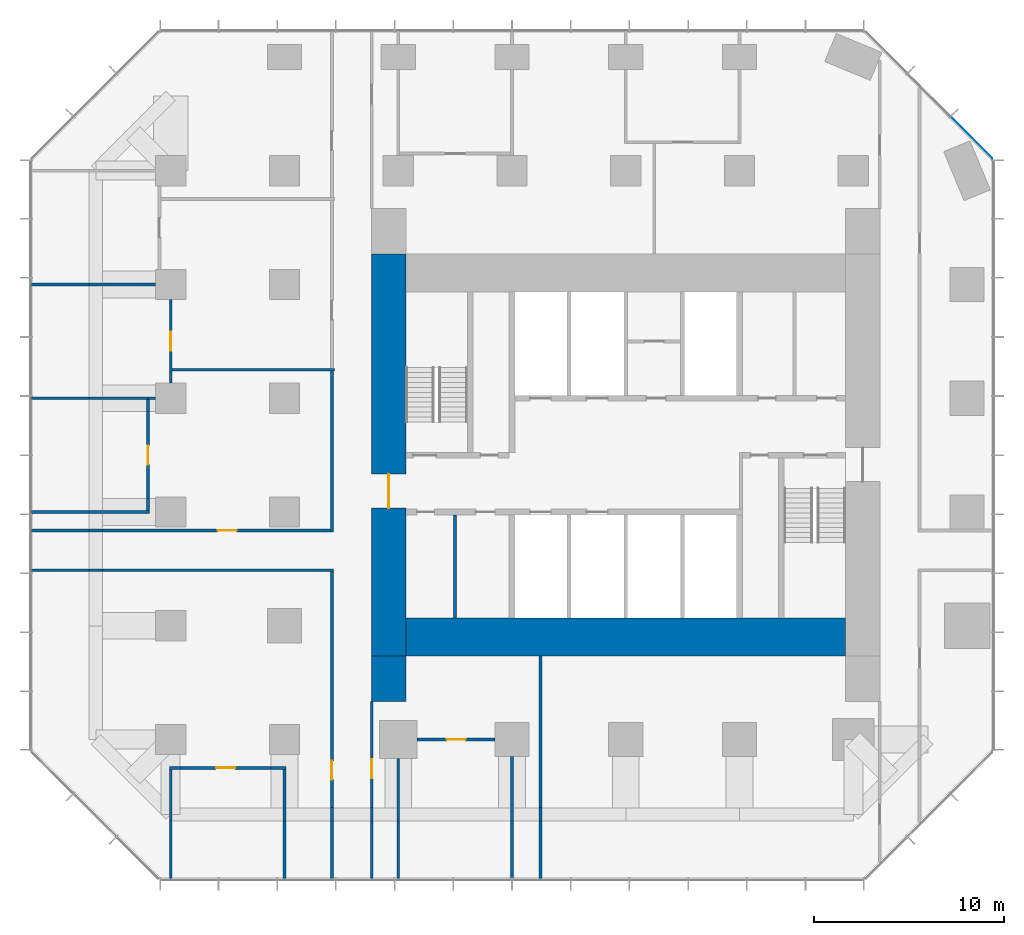
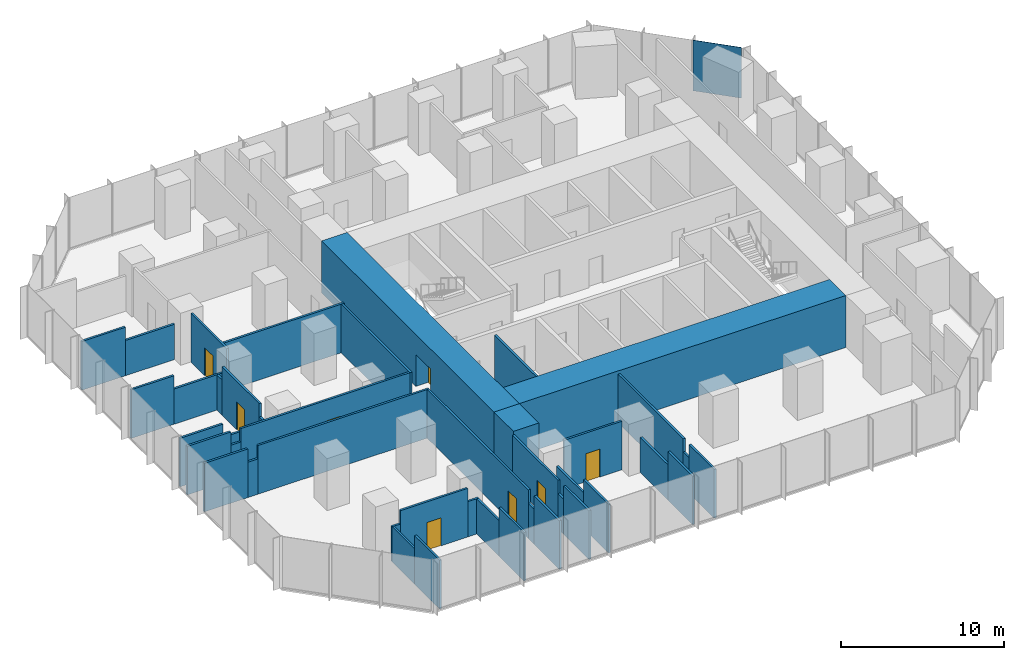
# One storey, part 8 of 11: 44 walls, 8 doors, 1 plate, 8 openings, 1 element without a shape of its own.
"""IFC4 building model written with IfcOpenShell, lengths in metres."""

import ifcopenshell
import ifcopenshell.guid

model = None  # the IFC model being written
_history = None  # IfcOwnerHistory: only IFC2X3 demands one
_inside = {}  # id of a spatial element -> (the spatial element, [elements in it])
_under = {}  # id of a project, library or spatial element -> (it, [spatial elements below it])
_declared = {}  # id of a project -> (the project, [libraries it declares])
_typed = {}  # id of a type object -> (the type object, [elements of that type])
_made_of = {}  # id of a material, layer set ... -> (it, [elements and type objects made of it])


def new_model(schema):
    """Start an empty IFC model of exactly this schema.

    Asked for "IFC4X3", IfcOpenShell would pick the latest addendum, in which some entities
    have other attributes; the version numbers below select the first issue.
    IFC2X3 requires an IfcOwnerHistory on every rooted entity: one is made here for all.
    """
    global model, _history
    if schema == "IFC4X3":
        model = ifcopenshell.file(schema_version=(4, 3, 0, 0))
    else:
        model = ifcopenshell.file(schema=schema)
    _inside.clear()
    _under.clear()
    _declared.clear()
    _typed.clear()
    _made_of.clear()
    _history = None
    if model.schema == "IFC2X3":
        org = make("IfcOrganization", Name="unknown")
        user = make(
            "IfcPersonAndOrganization",
            ThePerson=make("IfcPerson", FamilyName="unknown"),
            TheOrganization=org,
        )
        app = make(
            "IfcApplication",
            ApplicationDeveloper=org,
            Version="unknown",
            ApplicationFullName="unknown",
            ApplicationIdentifier="unknown",
        )
        _history = make(
            "IfcOwnerHistory",
            OwningUser=user,
            OwningApplication=app,
            ChangeAction="ADDED",
            CreationDate=0,
        )
    return model


def make(cls, **values):
    """One entity of the class cls with the attributes given. An attribute that is None is left unset."""
    return model.create_entity(
        cls, **{name: value for name, value in values.items() if value is not None}
    )


def rooted(cls, **values):
    """An entity with a GlobalId (a new one), such as an element, a storey or a relation."""
    return make(cls, GlobalId=ifcopenshell.guid.new(), OwnerHistory=_history, **values)


def si_unit(unit_type, name, prefix=None):
    """IfcSIUnit, for example si_unit("LENGTHUNIT", "METRE", prefix="MILLI")."""
    return make("IfcSIUnit", UnitType=unit_type, Prefix=prefix, Name=name)


def assignment(units):
    """IfcUnitAssignment: the units of a project."""
    return None if units is None else make("IfcUnitAssignment", Units=units)


def point(xyz):
    """IfcCartesianPoint."""
    return None if xyz is None else make("IfcCartesianPoint", Coordinates=xyz)


def direction(xyz):
    """IfcDirection."""
    return None if xyz is None else make("IfcDirection", DirectionRatios=xyz)


def frame(location, z_axis=None, x_axis=None):
    """IfcAxis2Placement3D, a coordinate frame: its origin and axes. An axis left out is left unset."""
    return make(
        "IfcAxis2Placement3D",
        Location=point(location),
        Axis=direction(z_axis),
        RefDirection=direction(x_axis),
    )


def frame_2d(location, x_axis=None):
    """IfcAxis2Placement2D, a coordinate frame in the plane: its origin and x axis."""
    return make(
        "IfcAxis2Placement2D", Location=point(location), RefDirection=direction(x_axis)
    )


def origin():
    """The frame at (0, 0, 0) with its axes left unset."""
    return frame((0.0, 0.0, 0.0))


def origin_2d():
    """The frame at (0, 0) in the plane with its x axis left unset."""
    return frame_2d((0.0, 0.0))


def place(relative_to, where):
    """IfcLocalPlacement: puts the frame where relative to a parent placement (None: the world)."""
    return make(
        "IfcLocalPlacement", PlacementRelTo=relative_to, RelativePlacement=where
    )


def context(
    kind, dimensions, precision=None, world=None, true_north=None, identifier=None
):
    """IfcGeometricRepresentationContext, for example the 3D "Model" context."""
    return make(
        "IfcGeometricRepresentationContext",
        ContextIdentifier=identifier,
        ContextType=kind,
        CoordinateSpaceDimension=dimensions,
        Precision=precision,
        WorldCoordinateSystem=world,
        TrueNorth=true_north,
    )


def subcontext(parent, identifier, kind, view, scale=None):
    """IfcGeometricRepresentationSubContext, for example "Body" below "Model"."""
    return make(
        "IfcGeometricRepresentationSubContext",
        ContextIdentifier=identifier,
        ContextType=kind,
        ParentContext=parent,
        TargetScale=scale,
        TargetView=view,
    )


def project(units=None, contexts=None):
    """IfcProject with its units and contexts."""
    return rooted(
        "IfcProject",
        Name="project",
        RepresentationContexts=contexts,
        UnitsInContext=assignment(units),
    )


def spatial(cls, under=None, at=None, **own):
    """A site, building, storey or space (cls), placed at a placement, below another one or the project."""
    s = rooted(cls, ObjectPlacement=at, **own)
    if under is not None:
        _under.setdefault(under.id(), (under, []))[1].append(s)
    return s


def profile(cls, at=None, kind="AREA", **sizes):
    """A parametric profile (cls). Its sizes go by their IFC names, for example OverallWidth=200.0."""
    return make(cls, ProfileType=kind, Position=at, **sizes)


def rectangle(**sizes):
    """IfcRectangleProfileDef."""
    return profile("IfcRectangleProfileDef", **sizes)


def extrude(swept, where, along, depth):
    """IfcExtrudedAreaSolid: the profile swept, set in the frame where, extruded along a direction by depth."""
    return make(
        "IfcExtrudedAreaSolid",
        SweptArea=swept,
        Position=where,
        ExtrudedDirection=direction(along),
        Depth=depth,
    )


def shape(context_of_items, identifier, shape_type, items):
    """IfcShapeRepresentation: the items that make up one representation, for example the "Body"."""
    return make(
        "IfcShapeRepresentation",
        ContextOfItems=context_of_items,
        RepresentationIdentifier=identifier,
        RepresentationType=shape_type,
        Items=items,
    )


def material(Name=None, Category=None):
    """IfcMaterial."""
    return make("IfcMaterial", Name=Name, Category=Category)


def layer(
    of_material, thickness, ventilated=None, Name=None, Category=None, Priority=None
):
    """IfcMaterialLayer: one layer of a wall or slab, of a material (None: an air gap)."""
    return make(
        "IfcMaterialLayer",
        Material=of_material,
        LayerThickness=thickness,
        IsVentilated=ventilated,
        Name=Name,
        Category=Category,
        Priority=Priority,
    )


def layer_set(layers, Name=None):
    """IfcMaterialLayerSet."""
    return make("IfcMaterialLayerSet", MaterialLayers=layers, LayerSetName=Name)


def made_of(thing, what):
    """Note that an element or type object is made of a material, layer set ...; save() writes the relation."""
    if what is not None:
        _made_of.setdefault(what.id(), (what, []))[1].append(thing)
    return thing


def type_object(cls, material=None, **own):
    """A type object (cls), such as IfcWallType, which elements share."""
    return made_of(rooted(cls, **own), material)


def element(
    cls,
    number,
    at=None,
    inside=None,
    cuts=None,
    type_object=None,
    material=None,
    context=None,
    identifier="Body",
    shape_type=None,
    held_by="IfcProductDefinitionShape",
    body=None,
    shapes=None,
    **own,
):
    """One element of the class cls, such as IfcWall. Its Tag is "e" and its number.

    at: its placement. inside: the storey or other place that contains it. cuts: it is an
    opening in that element (IfcRelVoidsElement). A single representation is given by context,
    identifier, shape_type and body (its items); several are given by shapes. held_by: the class
    of the entity that holds the representations. save() writes the other relations.
    """
    e = rooted(cls, Tag="e%d" % number, ObjectPlacement=at, **own)
    if body is not None:
        shapes = [shape(context, identifier, shape_type, body)]
    if shapes is not None:
        e.Representation = make(held_by, Representations=shapes)
    if inside is not None:
        _inside.setdefault(inside.id(), (inside, []))[1].append(e)
    if cuts is not None:
        rooted(
            "IfcRelVoidsElement", RelatingBuildingElement=cuts, RelatedOpeningElement=e
        )
    if type_object is not None:
        _typed.setdefault(type_object.id(), (type_object, []))[1].append(e)
    return made_of(e, material)


def fill(opening, filler):
    """IfcRelFillsElement: the door or window that sits in an opening."""
    return rooted(
        "IfcRelFillsElement",
        RelatingOpeningElement=opening,
        RelatedBuildingElement=filler,
    )


def aggregate(whole, parts):
    """IfcRelAggregates: a whole, such as a stair, and the parts it consists of."""
    return rooted("IfcRelAggregates", RelatingObject=whole, RelatedObjects=parts)


def save(model, path):
    """Write the relations noted so far, then the file.

    IfcRelAggregates (storeys below a building ...), IfcRelContainedInSpatialStructure (elements
    in a storey), IfcRelDefinesByType, IfcRelAssociatesMaterial and IfcRelDeclares: one each for
    every whole, place, type object, material and project.
    """
    for whole, parts in _under.values():
        aggregate(whole, parts)
    for where, things in _inside.values():
        rooted(
            "IfcRelContainedInSpatialStructure",
            RelatedElements=things,
            RelatingStructure=where,
        )
    for kind, things in _typed.values():
        rooted("IfcRelDefinesByType", RelatedObjects=things, RelatingType=kind)
    for what, things in _made_of.values():
        rooted("IfcRelAssociatesMaterial", RelatedObjects=things, RelatingMaterial=what)
    for by, libraries in _declared.values():
        rooted("IfcRelDeclares", RelatingContext=by, RelatedDefinitions=libraries)
    model.write(path)


model = new_model("IFC4")

# Units and contexts
model_context = context("Model", 3, precision=1e-05, world=origin(), true_north=direction((0.0, 1.0)))
body_context = subcontext(model_context, "Body", "Model", "MODEL_VIEW")
ifc_project = project(units=[si_unit("LENGTHUNIT", "METRE"), si_unit("AREAUNIT", "SQUARE_METRE"), si_unit("VOLUMEUNIT", "CUBIC_METRE"), si_unit("PLANEANGLEUNIT", "RADIAN"), si_unit("MASSUNIT", "GRAM", prefix="KILO")], contexts=[model_context])

# Site, building, storey
site_placement = place(None, origin())
site = spatial("IfcSite", under=ifc_project, at=site_placement, CompositionType="ELEMENT")
building_placement = place(site_placement, origin())
building = spatial("IfcBuilding", under=site, at=building_placement, Name="Highveld Stack Headquarters", CompositionType="ELEMENT")
storey_placement = place(building_placement, frame((0.0, 0.0, 132.800048828125)))
storey = spatial("IfcBuildingStorey", under=building, at=storey_placement, Name="L32", CompositionType="ELEMENT", Elevation=132.800048828125)

# Curtain wall, plate
ifc_material_1 = material(Name="Aluminium bronze anodised", Category="aluminium")
ifc_layer_1 = layer(ifc_material_1, 0.199951171875)
ifc_layer_set_1 = layer_set([ifc_layer_1], Name="Aluminium bronze anodised")
curtain_wall_type = type_object("IfcCurtainWallType", Name="CW2 TOWER CHAMFER UNITISED CURTAIN WALL", PredefinedType="NOTDEFINED", material=ifc_layer_set_1)
curtain_wall_placement = place(storey_placement, origin())
curtain_wall = element("IfcCurtainWall", 1, at=curtain_wall_placement, inside=storey, type_object=curtain_wall_type, Name="Curtain wall CW2 L32 NE", PredefinedType="NOTDEFINED")
ifc_material_2 = material(Name="Glass bronze tinted double glazed unit", Category="glass")
ifc_layer_2 = layer(ifc_material_2, 0.028076171875)
ifc_layer_set_2 = layer_set([ifc_layer_2], Name="Glass bronze tinted double glazed unit")
plate_type = type_object("IfcPlateType", Name="CW2 PANEL BRONZE TINTED DOUBLE GLAZED UNIT", PredefinedType="CURTAIN_PANEL", material=ifc_layer_set_2)
plate_placement = place(storey_placement, frame((24.239501953125, 19.740478515625, 0.10009765625), z_axis=(0.0, 0.0, 1.0), x_axis=(-0.707106781187, 0.707106781187, 0.0)))
plate = element("IfcPlate", 2, at=plate_placement, type_object=plate_type, Name="CW2 panel L32 1.1", PredefinedType="CURTAIN_PANEL", context=body_context, shape_type="SweptSolid", body=[
    extrude(rectangle(XDim=3.08251953125, YDim=0.028076171875, at=origin_2d()), origin(), (0.0, 0.0, 1.0), 3.800048828125),
])
aggregate(curtain_wall, [plate])

# Wall, opening, door
ifc_material_3 = material(Name="Concrete C60/75", Category="concrete")
ifc_layer_3 = layer(ifc_material_3, 1.800048828125)
ifc_layer_set_3 = layer_set([ifc_layer_3], Name="Concrete C60/75")
wall_type_1 = type_object("IfcWallType", Name="CORE WALL 1800 C60/75", PredefinedType="SHEAR", material=ifc_layer_set_3)
wall_1_placement = place(storey_placement, frame((-6.5, -7.60009765625, 0.0), z_axis=(0.0, 0.0, 1.0), x_axis=(0.0, 1.0, 0.0)))
wall_1 = element("IfcWall", 3, at=wall_1_placement, inside=storey, type_object=wall_type_1, Name="Core wall W L32", PredefinedType="SHEAR", context=body_context, shape_type="SweptSolid", body=[
    extrude(rectangle(XDim=21.2001953125, YDim=1.800048828125, at=frame_2d((10.60009765625, 0.0))), origin(), (0.0, 0.0, 1.0), 3.89990234375),
])
opening_1_placement = place(wall_1_placement, frame((7.800048828125, 0.0, 0.0)))
opening_1 = element("IfcOpeningElement", 4, at=opening_1_placement, cuts=wall_1, Name="Opening L32-01", PredefinedType="OPENING", context=body_context, shape_type="SweptSolid", body=[
    extrude(rectangle(XDim=1.800048828125, YDim=2.39990234375, at=frame_2d((0.89990234375, 1.199951171875))), frame((0.0, 0.909912109375, 0.0), z_axis=(0.0, -1.0, 0.0), x_axis=(1.0, 0.0, 0.0)), (0.0, 0.0, 1.0), 1.820068359375),
])
ifc_material_4 = material(Name="Steel fire door", Category="steel")
door_type_1 = type_object("IfcDoorType", Name="LOBBY FIRE DOOR D4 1800x2400", OperationType="DOUBLE_DOOR_SINGLE_SWING", PredefinedType="DOOR", material=ifc_material_4)
door_1_placement = place(opening_1_placement, origin())
door_1 = element("IfcDoor", 5, at=door_1_placement, inside=storey, type_object=door_type_1, Name="Core west door L32", OperationType="DOUBLE_DOOR_SINGLE_SWING", OverallHeight=2.39990234375, OverallWidth=1.800048828125, PredefinedType="DOOR", context=body_context, shape_type="SweptSolid", body=[
    extrude(rectangle(XDim=1.800048828125, YDim=2.39990234375, at=frame_2d((0.89990234375, 1.199951171875))), frame((0.0, 0.02490234375, 0.0), z_axis=(0.0, -1.0, 0.0), x_axis=(1.0, 0.0, 0.0)), (0.0, 0.0, 1.0), 0.050048828125),
])
fill(opening_1, door_1)

# Walls
ifc_material_5 = material(Name="Concrete C60/75", Category="concrete")
ifc_layer_4 = layer(ifc_material_5, 2.0)
ifc_layer_set_4 = layer_set([ifc_layer_4], Name="Concrete C60/75")
wall_type_2 = type_object("IfcWallType", Name="CORE WALL 2000 C60/75", PredefinedType="SHEAR", material=ifc_layer_set_4)
wall_2_placement = place(storey_placement, frame((-5.60009765625, -6.60009765625, 0.0), z_axis=(0.0, 0.0, 1.0), x_axis=(1.0, 0.0, 0.0)))
element("IfcWall", 6, at=wall_2_placement, inside=storey, type_object=wall_type_2, Name="Core wall S L32", PredefinedType="SHEAR", context=body_context, shape_type="SweptSolid", body=[
    extrude(rectangle(XDim=23.2001953125, YDim=2.0, at=frame_2d((11.60009765625, 0.0))), origin(), (0.0, 0.0, 1.0), 3.89990234375),
])
ifc_material_6 = material(Name="Concrete C60/75", Category="concrete")
ifc_layer_5 = layer(ifc_material_6, 1.800048828125)
ifc_layer_set_5 = layer_set([ifc_layer_5], Name="Concrete C60/75")
wall_type_3 = type_object("IfcWallType", Name="CORE WING WALL 1800 C60/75", PredefinedType="SHEAR", material=ifc_layer_set_5)
wall_3_placement = place(storey_placement, frame((-6.5, -10.0, 0.0), z_axis=(0.0, 0.0, 1.0), x_axis=(0.0, 1.0, 0.0)))
element("IfcWall", 7, at=wall_3_placement, inside=storey, type_object=wall_type_3, Name="Core wing wall WS L32", PredefinedType="SHEAR", context=body_context, shape_type="SweptSolid", body=[
    extrude(rectangle(XDim=2.39990234375, YDim=1.800048828125, at=frame_2d((1.199951171875, 0.0))), origin(), (0.0, 0.0, 1.0), 3.89990234375),
])

# Wall, opening, door
ifc_material_7 = material(Name="Laminated glass in aluminium frame", Category="aluminium")
ifc_layer_6 = layer(ifc_material_7, 0.14990234375)
ifc_layer_set_6 = layer_set([ifc_layer_6], Name="Laminated glass in aluminium frame")
wall_type_4 = type_object("IfcWallType", Name="GLAZED PARTITION 150", PredefinedType="PARTITIONING", material=ifc_layer_set_6)
wall_4_placement = place(storey_placement, frame((-5.0, -12.0, 0.0), z_axis=(0.0, 0.0, 1.0), x_axis=(1.0, 0.0, 0.0)))
wall_4 = element("IfcWall", 8, at=wall_4_placement, inside=storey, type_object=wall_type_4, Name="Glazed partition Meeting room L32", PredefinedType="PARTITIONING", context=body_context, shape_type="SweptSolid", body=[
    extrude(rectangle(XDim=4.10009765625, YDim=0.14990234375, at=frame_2d((2.050048828125, 0.0))), origin(), (0.0, 0.0, 1.0), 3.64990234375),
])
opening_2_placement = place(wall_4_placement, frame((1.550048828125, 0.0, 0.0)))
opening_2 = element("IfcOpeningElement", 9, at=opening_2_placement, cuts=wall_4, Name="Opening L32-14", PredefinedType="OPENING", context=body_context, shape_type="SweptSolid", body=[
    extrude(rectangle(XDim=1.0, YDim=2.10009765625, at=frame_2d((0.5, 1.050048828125))), frame((0.0, 0.0849609375, 0.0), z_axis=(0.0, -1.0, 0.0), x_axis=(1.0, 0.0, 0.0)), (0.0, 0.0, 1.0), 0.169921875),
])
ifc_material_8 = material(Name="Timber door, oiled ash", Category="wood")
door_type_2 = type_object("IfcDoorType", Name="ROOM DOOR D6 1000x2100", OperationType="SINGLE_SWING_LEFT", PredefinedType="DOOR", material=ifc_material_8)
door_2_placement = place(opening_2_placement, origin())
door_2 = element("IfcDoor", 10, at=door_2_placement, inside=storey, type_object=door_type_2, Name="Meeting room door 1 L32", OperationType="SINGLE_SWING_RIGHT", OverallHeight=2.10009765625, OverallWidth=1.0, PredefinedType="DOOR", context=body_context, shape_type="SweptSolid", body=[
    extrude(rectangle(XDim=1.0, YDim=2.10009765625, at=frame_2d((0.5, 1.050048828125))), frame((0.0, 0.02490234375, 0.0), z_axis=(0.0, -1.0, 0.0), x_axis=(1.0, 0.0, 0.0)), (0.0, 0.0, 1.0), 0.050048828125),
])
fill(opening_2, door_2)

wall_5_placement = place(storey_placement, frame((-18.0, 6.800048828125, 0.0), z_axis=(0.0, 0.0, 1.0), x_axis=(0.0, 1.0, 0.0)))
wall_5 = element("IfcWall", 11, at=wall_5_placement, inside=storey, type_object=wall_type_4, Name="Glazed partition Meeting room L32", PredefinedType="PARTITIONING", context=body_context, shape_type="SweptSolid", body=[
    extrude(rectangle(XDim=4.39990234375, YDim=0.14990234375, at=frame_2d((2.199951171875, 0.0))), origin(), (0.0, 0.0, 1.0), 3.64990234375),
])
opening_3_placement = place(wall_5_placement, frame((1.699951171875, 0.0, 0.0)))
opening_3 = element("IfcOpeningElement", 12, at=opening_3_placement, cuts=wall_5, Name="Opening L32-16", PredefinedType="OPENING", context=body_context, shape_type="SweptSolid", body=[
    extrude(rectangle(XDim=1.0, YDim=2.10009765625, at=frame_2d((0.5, 1.050048828125))), frame((0.0, 0.0849609375, 0.0), z_axis=(0.0, -1.0, 0.0), x_axis=(1.0, 0.0, 0.0)), (0.0, 0.0, 1.0), 0.169921875),
])
door_3_placement = place(opening_3_placement, origin())
door_3 = element("IfcDoor", 13, at=door_3_placement, inside=storey, type_object=door_type_2, Name="Meeting room door 1 L32", OperationType="SINGLE_SWING_RIGHT", OverallHeight=2.10009765625, OverallWidth=1.0, PredefinedType="DOOR", context=body_context, shape_type="SweptSolid", body=[
    extrude(rectangle(XDim=1.0, YDim=2.10009765625, at=frame_2d((0.5, 1.050048828125))), frame((0.0, 0.02490234375, 0.0), z_axis=(0.0, -1.0, 0.0), x_axis=(1.0, 0.0, 0.0)), (0.0, 0.0, 1.0), 0.050048828125),
])
fill(opening_3, door_3)

# Wall
ifc_material_9 = material(Name="Gypsum plasterboard on steel studs", Category="steel")
ifc_layer_7 = layer(ifc_material_9, 0.14990234375)
ifc_layer_set_7 = layer_set([ifc_layer_7], Name="Gypsum plasterboard on steel studs")
wall_type_5 = type_object("IfcWallType", Name="PARTITION 150 PLASTERBOARD", PredefinedType="PARTITIONING", material=ifc_layer_set_7)
wall_6_placement = place(storey_placement, frame((-18.074951171875, -13.5, 0.0), z_axis=(0.0, 0.0, 1.0), x_axis=(1.0, 0.0, 0.0)))
element("IfcWall", 14, at=wall_6_placement, inside=storey, type_object=wall_type_5, Name="Partition Quiet room L32", PredefinedType="PARTITIONING", context=body_context, shape_type="SweptSolid", body=[
    extrude(rectangle(XDim=0.5849609375, YDim=0.14990234375, at=frame_2d((0.29248046875, 0.0))), origin(), (0.0, 0.0, 1.0), 2.64990234375),
])

# Wall, opening, door
wall_7_placement = place(storey_placement, frame((-17.489990234375, -13.5, 0.0), z_axis=(0.0, 0.0, 1.0), x_axis=(1.0, 0.0, 0.0)))
wall_7 = element("IfcWall", 15, at=wall_7_placement, inside=storey, type_object=wall_type_5, Name="Partition Quiet room L32", PredefinedType="PARTITIONING", context=body_context, shape_type="SweptSolid", body=[
    extrude(rectangle(XDim=4.780029296875, YDim=0.14990234375, at=frame_2d((2.39013671875, 0.0))), origin(), (0.0, 0.0, 1.0), 3.64990234375),
])
opening_4_placement = place(wall_7_placement, frame((1.889892578125, 0.0, 0.0)))
opening_4 = element("IfcOpeningElement", 16, at=opening_4_placement, cuts=wall_7, Name="Opening L32-13", PredefinedType="OPENING", context=body_context, shape_type="SweptSolid", body=[
    extrude(rectangle(XDim=1.0, YDim=2.10009765625, at=frame_2d((0.5, 1.050048828125))), frame((0.0, 0.0849609375, 0.0), z_axis=(0.0, -1.0, 0.0), x_axis=(1.0, 0.0, 0.0)), (0.0, 0.0, 1.0), 0.169921875),
])
door_4_placement = place(opening_4_placement, origin())
door_4 = element("IfcDoor", 17, at=door_4_placement, inside=storey, type_object=door_type_2, Name="Quiet room door 1 L32", OperationType="SINGLE_SWING_RIGHT", OverallHeight=2.10009765625, OverallWidth=1.0, PredefinedType="DOOR", context=body_context, shape_type="SweptSolid", body=[
    extrude(rectangle(XDim=1.0, YDim=2.10009765625, at=frame_2d((0.5, 1.050048828125))), frame((0.0, 0.02490234375, 0.0), z_axis=(0.0, -1.0, 0.0), x_axis=(1.0, 0.0, 0.0)), (0.0, 0.0, 1.0), 0.050048828125),
])
fill(opening_4, door_4)

# Walls
wall_8_placement = place(storey_placement, frame((-12.7099609375, -13.5, 0.0), z_axis=(0.0, 0.0, 1.0), x_axis=(1.0, 0.0, 0.0)))
element("IfcWall", 18, at=wall_8_placement, inside=storey, type_object=wall_type_5, Name="Partition Quiet room L32", PredefinedType="PARTITIONING", context=body_context, shape_type="SweptSolid", body=[
    extrude(rectangle(XDim=0.784912109375, YDim=0.14990234375, at=frame_2d((0.392578125, 0.0))), origin(), (0.0, 0.0, 1.0), 2.64990234375),
])
wall_9_placement = place(storey_placement, frame((-25.35009765625, 0.0, 0.0), z_axis=(0.0, 0.0, 1.0), x_axis=(1.0, 0.0, 0.0)))
element("IfcWall", 19, at=wall_9_placement, inside=storey, type_object=wall_type_5, Name="Partition Tea kitchen L32", PredefinedType="PARTITIONING", context=body_context, shape_type="SweptSolid", body=[
    extrude(rectangle(XDim=3.0400390625, YDim=0.14990234375, at=frame_2d((1.52001953125, 0.0))), origin(), (0.0, 0.0, 1.0), 3.64990234375),
])
wall_10_placement = place(storey_placement, frame((-22.31005859375, 0.0, 0.0), z_axis=(0.0, 0.0, 1.0), x_axis=(1.0, 0.0, 0.0)))
element("IfcWall", 20, at=wall_10_placement, inside=storey, type_object=wall_type_5, Name="Partition Tea kitchen L32", PredefinedType="PARTITIONING", context=body_context, shape_type="SweptSolid", body=[
    extrude(rectangle(XDim=3.18505859375, YDim=0.14990234375, at=frame_2d((1.592529296875, 0.0))), origin(), (0.0, 0.0, 1.0), 2.64990234375),
])
wall_11_placement = place(storey_placement, frame((-25.35009765625, 6.0, 0.0), z_axis=(0.0, 0.0, 1.0), x_axis=(1.0, 0.0, 0.0)))
element("IfcWall", 21, at=wall_11_placement, inside=storey, type_object=wall_type_5, Name="Partition Meeting room / Tea kitchen L32", PredefinedType="PARTITIONING", context=body_context, shape_type="SweptSolid", body=[
    extrude(rectangle(XDim=3.0400390625, YDim=0.14990234375, at=frame_2d((1.52001953125, 0.0))), origin(), (0.0, 0.0, 1.0), 3.64990234375),
])
wall_12_placement = place(storey_placement, frame((-22.31005859375, 6.0, 0.0), z_axis=(0.0, 0.0, 1.0), x_axis=(1.0, 0.0, 0.0)))
element("IfcWall", 22, at=wall_12_placement, inside=storey, type_object=wall_type_5, Name="Partition Meeting room / Tea kitchen L32", PredefinedType="PARTITIONING", context=body_context, shape_type="SweptSolid", body=[
    extrude(rectangle(XDim=3.18505859375, YDim=0.14990234375, at=frame_2d((1.592529296875, 0.0))), origin(), (0.0, 0.0, 1.0), 2.64990234375),
])
wall_13_placement = place(storey_placement, frame((-19.199951171875, 6.0, 0.0), z_axis=(0.0, 0.0, 1.0), x_axis=(1.0, 0.0, 0.0)))
element("IfcWall", 23, at=wall_13_placement, inside=storey, type_object=wall_type_5, Name="Partition Meeting room L32", PredefinedType="PARTITIONING", context=body_context, shape_type="SweptSolid", body=[
    extrude(rectangle(XDim=0.39990234375, YDim=0.14990234375, at=frame_2d((0.199951171875, 0.0))), origin(), (0.0, 0.0, 1.0), 2.64990234375),
])
wall_14_placement = place(storey_placement, frame((-25.39990234375, 12.0, 0.0), z_axis=(0.0, 0.0, 1.0), x_axis=(1.0, 0.0, 0.0)))
element("IfcWall", 24, at=wall_14_placement, inside=storey, type_object=wall_type_5, Name="Partition Meeting room / Video conference room L32", PredefinedType="PARTITIONING", context=body_context, shape_type="SweptSolid", body=[
    extrude(rectangle(XDim=3.08984375, YDim=0.14990234375, at=frame_2d((1.544921875, 0.0))), origin(), (0.0, 0.0, 1.0), 3.64990234375),
])
wall_15_placement = place(storey_placement, frame((-22.31005859375, 12.0, 0.0), z_axis=(0.0, 0.0, 1.0), x_axis=(1.0, 0.0, 0.0)))
element("IfcWall", 25, at=wall_15_placement, inside=storey, type_object=wall_type_5, Name="Partition Meeting room / Video conference room L32", PredefinedType="PARTITIONING", context=body_context, shape_type="SweptSolid", body=[
    extrude(rectangle(XDim=3.510009765625, YDim=0.14990234375, at=frame_2d((1.7548828125, 0.0))), origin(), (0.0, 0.0, 1.0), 2.64990234375),
])
wall_16_placement = place(storey_placement, frame((-19.199951171875, 0.074951171875, 0.0), z_axis=(0.0, 0.0, 1.0), x_axis=(0.0, 1.0, 0.0)))
element("IfcWall", 26, at=wall_16_placement, inside=storey, type_object=wall_type_5, Name="Partition Tea kitchen L32", PredefinedType="PARTITIONING", context=body_context, shape_type="SweptSolid", body=[
    extrude(rectangle(XDim=0.635009765625, YDim=0.14990234375, at=frame_2d((0.3173828125, 0.0))), origin(), (0.0, 0.0, 1.0), 2.64990234375),
])

# Wall, opening, door
wall_17_placement = place(storey_placement, frame((-19.199951171875, 0.7099609375, 0.0), z_axis=(0.0, 0.0, 1.0), x_axis=(0.0, 1.0, 0.0)))
wall_17 = element("IfcWall", 27, at=wall_17_placement, inside=storey, type_object=wall_type_5, Name="Partition Tea kitchen L32", PredefinedType="PARTITIONING", context=body_context, shape_type="SweptSolid", body=[
    extrude(rectangle(XDim=4.580078125, YDim=0.14990234375, at=frame_2d((2.2900390625, 0.0))), origin(), (0.0, 0.0, 1.0), 3.64990234375),
])
opening_5_placement = place(wall_17_placement, frame((1.7900390625, 0.0, 0.0)))
opening_5 = element("IfcOpeningElement", 28, at=opening_5_placement, cuts=wall_17, Name="Opening L32-15", PredefinedType="OPENING", context=body_context, shape_type="SweptSolid", body=[
    extrude(rectangle(XDim=1.0, YDim=2.10009765625, at=frame_2d((0.5, 1.050048828125))), frame((0.0, 0.0849609375, 0.0), z_axis=(0.0, -1.0, 0.0), x_axis=(1.0, 0.0, 0.0)), (0.0, 0.0, 1.0), 0.169921875),
])
door_5_placement = place(opening_5_placement, origin())
door_5 = element("IfcDoor", 29, at=door_5_placement, inside=storey, type_object=door_type_2, Name="Tea kitchen door 1 L32", OperationType="SINGLE_SWING_LEFT", OverallHeight=2.10009765625, OverallWidth=1.0, PredefinedType="DOOR", context=body_context, shape_type="SweptSolid", body=[
    extrude(rectangle(XDim=1.0, YDim=2.10009765625, at=frame_2d((0.5, 1.050048828125))), frame((0.0, 0.02490234375, 0.0), z_axis=(0.0, -1.0, 0.0), x_axis=(1.0, 0.0, 0.0)), (0.0, 0.0, 1.0), 0.050048828125),
])
fill(opening_5, door_5)

# Walls
wall_18_placement = place(storey_placement, frame((-19.199951171875, 5.2900390625, 0.0), z_axis=(0.0, 0.0, 1.0), x_axis=(0.0, 1.0, 0.0)))
element("IfcWall", 30, at=wall_18_placement, inside=storey, type_object=wall_type_5, Name="Partition Tea kitchen L32", PredefinedType="PARTITIONING", context=body_context, shape_type="SweptSolid", body=[
    extrude(rectangle(XDim=0.635009765625, YDim=0.14990234375, at=frame_2d((0.3173828125, 0.0))), origin(), (0.0, 0.0, 1.0), 2.64990234375),
])
wall_19_placement = place(storey_placement, frame((-18.0, -19.39990234375, 0.0), z_axis=(0.0, 0.0, 1.0), x_axis=(0.0, 1.0, 0.0)))
element("IfcWall", 31, at=wall_19_placement, inside=storey, type_object=wall_type_5, Name="Partition Quiet room L32", PredefinedType="PARTITIONING", context=body_context, shape_type="SweptSolid", body=[
    extrude(rectangle(XDim=3.08984375, YDim=0.14990234375, at=frame_2d((1.544921875, 0.0))), origin(), (0.0, 0.0, 1.0), 3.64990234375),
])
wall_20_placement = place(storey_placement, frame((-18.0, -16.31005859375, 0.0), z_axis=(0.0, 0.0, 1.0), x_axis=(0.0, 1.0, 0.0)))
element("IfcWall", 32, at=wall_20_placement, inside=storey, type_object=wall_type_5, Name="Partition Quiet room L32", PredefinedType="PARTITIONING", context=body_context, shape_type="SweptSolid", body=[
    extrude(rectangle(XDim=2.735107421875, YDim=0.14990234375, at=frame_2d((1.36767578125, 0.0))), origin(), (0.0, 0.0, 1.0), 2.64990234375),
])
wall_21_placement = place(storey_placement, frame((-12.0, -19.39990234375, 0.0), z_axis=(0.0, 0.0, 1.0), x_axis=(0.0, 1.0, 0.0)))
element("IfcWall", 33, at=wall_21_placement, inside=storey, type_object=wall_type_5, Name="Partition Quiet room L32", PredefinedType="PARTITIONING", context=body_context, shape_type="SweptSolid", body=[
    extrude(rectangle(XDim=3.08984375, YDim=0.14990234375, at=frame_2d((1.544921875, 0.0))), origin(), (0.0, 0.0, 1.0), 3.64990234375),
])
wall_22_placement = place(storey_placement, frame((-12.0, -16.31005859375, 0.0), z_axis=(0.0, 0.0, 1.0), x_axis=(0.0, 1.0, 0.0)))
element("IfcWall", 34, at=wall_22_placement, inside=storey, type_object=wall_type_5, Name="Partition Quiet room L32", PredefinedType="PARTITIONING", context=body_context, shape_type="SweptSolid", body=[
    extrude(rectangle(XDim=2.735107421875, YDim=0.14990234375, at=frame_2d((1.36767578125, 0.0))), origin(), (0.0, 0.0, 1.0), 2.64990234375),
])
wall_23_placement = place(storey_placement, frame((-6.0, -19.39990234375, 0.0), z_axis=(0.0, 0.0, 1.0), x_axis=(0.0, 1.0, 0.0)))
element("IfcWall", 35, at=wall_23_placement, inside=storey, type_object=wall_type_5, Name="Partition Meeting room L32", PredefinedType="PARTITIONING", context=body_context, shape_type="SweptSolid", body=[
    extrude(rectangle(XDim=3.08984375, YDim=0.14990234375, at=frame_2d((1.544921875, 0.0))), origin(), (0.0, 0.0, 1.0), 3.64990234375),
])
wall_24_placement = place(storey_placement, frame((-6.0, -16.31005859375, 0.0), z_axis=(0.0, 0.0, 1.0), x_axis=(0.0, 1.0, 0.0)))
element("IfcWall", 36, at=wall_24_placement, inside=storey, type_object=wall_type_5, Name="Partition Meeting room L32", PredefinedType="PARTITIONING", context=body_context, shape_type="SweptSolid", body=[
    extrude(rectangle(XDim=3.31005859375, YDim=0.14990234375, at=frame_2d((1.655029296875, 0.0))), origin(), (0.0, 0.0, 1.0), 2.64990234375),
])
wall_25_placement = place(storey_placement, frame((0.0, -19.35009765625, 0.0), z_axis=(0.0, 0.0, 1.0), x_axis=(0.0, 1.0, 0.0)))
element("IfcWall", 37, at=wall_25_placement, inside=storey, type_object=wall_type_5, Name="Partition Meeting room L32", PredefinedType="PARTITIONING", context=body_context, shape_type="SweptSolid", body=[
    extrude(rectangle(XDim=3.0400390625, YDim=0.14990234375, at=frame_2d((1.52001953125, 0.0))), origin(), (0.0, 0.0, 1.0), 3.64990234375),
])
wall_26_placement = place(storey_placement, frame((0.0, -16.31005859375, 0.0), z_axis=(0.0, 0.0, 1.0), x_axis=(0.0, 1.0, 0.0)))
element("IfcWall", 38, at=wall_26_placement, inside=storey, type_object=wall_type_5, Name="Partition Meeting room L32", PredefinedType="PARTITIONING", context=body_context, shape_type="SweptSolid", body=[
    extrude(rectangle(XDim=3.41015625, YDim=0.14990234375, at=frame_2d((1.705078125, 0.0))), origin(), (0.0, 0.0, 1.0), 2.64990234375),
])
wall_27_placement = place(storey_placement, frame((-25.39990234375, -3.074951171875, 0.0), z_axis=(0.0, 0.0, 1.0), x_axis=(1.0, 0.0, 0.0)))
element("IfcWall", 39, at=wall_27_placement, inside=storey, type_object=wall_type_5, Name="Partition office neighbourhood L32", PredefinedType="PARTITIONING", context=body_context, shape_type="SweptSolid", body=[
    extrude(rectangle(XDim=3.08984375, YDim=0.14990234375, at=frame_2d((1.544921875, 0.0))), origin(), (0.0, 0.0, 1.0), 3.64990234375),
])
wall_28_placement = place(storey_placement, frame((-22.31005859375, -3.074951171875, 0.0), z_axis=(0.0, 0.0, 1.0), x_axis=(1.0, 0.0, 0.0)))
element("IfcWall", 40, at=wall_28_placement, inside=storey, type_object=wall_type_5, Name="Partition office neighbourhood L32", PredefinedType="PARTITIONING", context=body_context, shape_type="SweptSolid", body=[
    extrude(rectangle(XDim=0.719970703125, YDim=0.14990234375, at=frame_2d((0.35986328125, 0.0))), origin(), (0.0, 0.0, 1.0), 2.64990234375),
])
wall_29_placement = place(storey_placement, frame((-21.590087890625, -3.074951171875, 0.0), z_axis=(0.0, 0.0, 1.0), x_axis=(1.0, 0.0, 0.0)))
element("IfcWall", 41, at=wall_29_placement, inside=storey, type_object=wall_type_5, Name="Partition office neighbourhood L32", PredefinedType="PARTITIONING", context=body_context, shape_type="SweptSolid", body=[
    extrude(rectangle(XDim=12.1650390625, YDim=0.14990234375, at=frame_2d((6.08251953125, 0.0))), origin(), (0.0, 0.0, 1.0), 3.64990234375),
])
wall_30_placement = place(storey_placement, frame((-25.39990234375, -0.97509765625, 0.0), z_axis=(0.0, 0.0, 1.0), x_axis=(1.0, 0.0, 0.0)))
element("IfcWall", 42, at=wall_30_placement, inside=storey, type_object=wall_type_5, Name="Partition office neighbourhood L32", PredefinedType="PARTITIONING", context=body_context, shape_type="SweptSolid", body=[
    extrude(rectangle(XDim=3.08984375, YDim=0.14990234375, at=frame_2d((1.544921875, 0.0))), origin(), (0.0, 0.0, 1.0), 3.64990234375),
])
wall_31_placement = place(storey_placement, frame((-22.31005859375, -0.97509765625, 0.0), z_axis=(0.0, 0.0, 1.0), x_axis=(1.0, 0.0, 0.0)))
element("IfcWall", 43, at=wall_31_placement, inside=storey, type_object=wall_type_5, Name="Partition office neighbourhood L32", PredefinedType="PARTITIONING", context=body_context, shape_type="SweptSolid", body=[
    extrude(rectangle(XDim=0.719970703125, YDim=0.14990234375, at=frame_2d((0.35986328125, 0.0))), origin(), (0.0, 0.0, 1.0), 2.64990234375),
])

# Wall, opening, door
wall_32_placement = place(storey_placement, frame((-21.590087890625, -0.97509765625, 0.0), z_axis=(0.0, 0.0, 1.0), x_axis=(1.0, 0.0, 0.0)))
wall_32 = element("IfcWall", 44, at=wall_32_placement, inside=storey, type_object=wall_type_5, Name="Partition office neighbourhood L32", PredefinedType="PARTITIONING", context=body_context, shape_type="SweptSolid", body=[
    extrude(rectangle(XDim=12.01513671875, YDim=0.14990234375, at=frame_2d((6.007568359375, 0.0))), origin(), (0.0, 0.0, 1.0), 3.64990234375),
])
opening_6_placement = place(wall_32_placement, frame((6.06005859375, 0.0, 0.0)))
opening_6 = element("IfcOpeningElement", 45, at=opening_6_placement, cuts=wall_32, Name="Opening L32-24", PredefinedType="OPENING", context=body_context, shape_type="SweptSolid", body=[
    extrude(rectangle(XDim=1.0, YDim=2.10009765625, at=frame_2d((0.5, 1.050048828125))), frame((0.0, 0.0849609375, 0.0), z_axis=(0.0, -1.0, 0.0), x_axis=(1.0, 0.0, 0.0)), (0.0, 0.0, 1.0), 0.169921875),
])
door_6_placement = place(opening_6_placement, origin())
door_6 = element("IfcDoor", 46, at=door_6_placement, inside=storey, type_object=door_type_2, Name="Office neighbourhood door L32", OperationType="SINGLE_SWING_RIGHT", OverallHeight=2.10009765625, OverallWidth=1.0, PredefinedType="DOOR", context=body_context, shape_type="SweptSolid", body=[
    extrude(rectangle(XDim=1.0, YDim=2.10009765625, at=frame_2d((0.5, 1.050048828125))), frame((0.0, 0.02490234375, 0.0), z_axis=(0.0, -1.0, 0.0), x_axis=(1.0, 0.0, 0.0)), (0.0, 0.0, 1.0), 0.050048828125),
])
fill(opening_6, door_6)

# Walls
wall_33_placement = place(storey_placement, frame((-17.925048828125, 7.5, 0.0), z_axis=(0.0, 0.0, 1.0), x_axis=(1.0, 0.0, 0.0)))
element("IfcWall", 47, at=wall_33_placement, inside=storey, type_object=wall_type_5, Name="Partition office neighbourhood L32", PredefinedType="PARTITIONING", context=body_context, shape_type="SweptSolid", body=[
    extrude(rectangle(XDim=8.574951171875, YDim=0.14990234375, at=frame_2d((4.28759765625, 0.0))), origin(), (0.0, 0.0, 1.0), 3.64990234375),
])
wall_34_placement = place(storey_placement, frame((-9.5, -19.39990234375, 0.0), z_axis=(0.0, 0.0, 1.0), x_axis=(0.0, 1.0, 0.0)))
element("IfcWall", 48, at=wall_34_placement, inside=storey, type_object=wall_type_5, Name="Partition office neighbourhood L32", PredefinedType="PARTITIONING", context=body_context, shape_type="SweptSolid", body=[
    extrude(rectangle(XDim=3.08984375, YDim=0.14990234375, at=frame_2d((1.544921875, 0.0))), origin(), (0.0, 0.0, 1.0), 3.64990234375),
])
wall_35_placement = place(storey_placement, frame((-9.5, -16.31005859375, 0.0), z_axis=(0.0, 0.0, 1.0), x_axis=(0.0, 1.0, 0.0)))
element("IfcWall", 49, at=wall_35_placement, inside=storey, type_object=wall_type_5, Name="Partition office neighbourhood L32", PredefinedType="PARTITIONING", context=body_context, shape_type="SweptSolid", body=[
    extrude(rectangle(XDim=0.719970703125, YDim=0.14990234375, at=frame_2d((0.35986328125, 0.0))), origin(), (0.0, 0.0, 1.0), 2.64990234375),
])

# Wall, opening, door
wall_36_placement = place(storey_placement, frame((-9.5, -15.590087890625, 0.0), z_axis=(0.0, 0.0, 1.0), x_axis=(0.0, 1.0, 0.0)))
wall_36 = element("IfcWall", 50, at=wall_36_placement, inside=storey, type_object=wall_type_5, Name="Partition office neighbourhood L32", PredefinedType="PARTITIONING", context=body_context, shape_type="SweptSolid", body=[
    extrude(rectangle(XDim=12.440185546875, YDim=0.14990234375, at=frame_2d((6.22021484375, 0.0))), origin(), (0.0, 0.0, 1.0), 3.64990234375),
])
opening_7_placement = place(wall_36_placement, frame((1.468994140625, 0.0, 0.0)))
opening_7 = element("IfcOpeningElement", 51, at=opening_7_placement, cuts=wall_36, Name="Opening L32-22", PredefinedType="OPENING", context=body_context, shape_type="SweptSolid", body=[
    extrude(rectangle(XDim=1.0, YDim=2.10009765625, at=frame_2d((0.5, 1.050048828125))), frame((0.0, 0.0849609375, 0.0), z_axis=(0.0, -1.0, 0.0), x_axis=(1.0, 0.0, 0.0)), (0.0, 0.0, 1.0), 0.169921875),
])
door_7_placement = place(opening_7_placement, origin())
door_7 = element("IfcDoor", 52, at=door_7_placement, inside=storey, type_object=door_type_2, Name="Office neighbourhood door L32", OperationType="SINGLE_SWING_LEFT", OverallHeight=2.10009765625, OverallWidth=1.0, PredefinedType="DOOR", context=body_context, shape_type="SweptSolid", body=[
    extrude(rectangle(XDim=1.0, YDim=2.10009765625, at=frame_2d((0.5, 1.050048828125))), frame((0.0, 0.02490234375, 0.0), z_axis=(0.0, -1.0, 0.0), x_axis=(1.0, 0.0, 0.0)), (0.0, 0.0, 1.0), 0.050048828125),
])
fill(opening_7, door_7)

# Walls
wall_37_placement = place(storey_placement, frame((-9.5, -1.050048828125, 0.0), z_axis=(0.0, 0.0, 1.0), x_axis=(0.0, 1.0, 0.0)))
element("IfcWall", 53, at=wall_37_placement, inside=storey, type_object=wall_type_5, Name="Partition office neighbourhood L32", PredefinedType="PARTITIONING", context=body_context, shape_type="SweptSolid", body=[
    extrude(rectangle(XDim=8.47509765625, YDim=0.14990234375, at=frame_2d((4.237548828125, 0.0))), origin(), (0.0, 0.0, 1.0), 3.64990234375),
])
wall_38_placement = place(storey_placement, frame((-7.39990234375, -19.39990234375, 0.0), z_axis=(0.0, 0.0, 1.0), x_axis=(0.0, 1.0, 0.0)))
element("IfcWall", 54, at=wall_38_placement, inside=storey, type_object=wall_type_5, Name="Partition office neighbourhood L32", PredefinedType="PARTITIONING", context=body_context, shape_type="SweptSolid", body=[
    extrude(rectangle(XDim=3.08984375, YDim=0.14990234375, at=frame_2d((1.544921875, 0.0))), origin(), (0.0, 0.0, 1.0), 3.64990234375),
])
wall_39_placement = place(storey_placement, frame((-7.39990234375, -16.31005859375, 0.0), z_axis=(0.0, 0.0, 1.0), x_axis=(0.0, 1.0, 0.0)))
element("IfcWall", 55, at=wall_39_placement, inside=storey, type_object=wall_type_5, Name="Partition office neighbourhood L32", PredefinedType="PARTITIONING", context=body_context, shape_type="SweptSolid", body=[
    extrude(rectangle(XDim=0.719970703125, YDim=0.14990234375, at=frame_2d((0.35986328125, 0.0))), origin(), (0.0, 0.0, 1.0), 2.64990234375),
])

# Wall, opening, door
wall_40_placement = place(storey_placement, frame((-7.39990234375, -15.590087890625, 0.0), z_axis=(0.0, 0.0, 1.0), x_axis=(0.0, 1.0, 0.0)))
wall_40 = element("IfcWall", 56, at=wall_40_placement, inside=storey, type_object=wall_type_5, Name="Partition office neighbourhood L32", PredefinedType="PARTITIONING", context=body_context, shape_type="SweptSolid", body=[
    extrude(rectangle(XDim=5.590087890625, YDim=0.14990234375, at=frame_2d((2.794921875, 0.0))), origin(), (0.0, 0.0, 1.0), 3.64990234375),
])
opening_8_placement = place(wall_40_placement, frame((1.550048828125, 0.0, 0.0)))
opening_8 = element("IfcOpeningElement", 57, at=opening_8_placement, cuts=wall_40, Name="Opening L32-21", PredefinedType="OPENING", context=body_context, shape_type="SweptSolid", body=[
    extrude(rectangle(XDim=1.0, YDim=2.10009765625, at=frame_2d((0.5, 1.050048828125))), frame((0.0, 0.0849609375, 0.0), z_axis=(0.0, -1.0, 0.0), x_axis=(1.0, 0.0, 0.0)), (0.0, 0.0, 1.0), 0.169921875),
])
door_8_placement = place(opening_8_placement, origin())
door_8 = element("IfcDoor", 58, at=door_8_placement, inside=storey, type_object=door_type_2, Name="Office neighbourhood door L32", OperationType="SINGLE_SWING_LEFT", OverallHeight=2.10009765625, OverallWidth=1.0, PredefinedType="DOOR", context=body_context, shape_type="SweptSolid", body=[
    extrude(rectangle(XDim=1.0, YDim=2.10009765625, at=frame_2d((0.5, 1.050048828125))), frame((0.0, 0.02490234375, 0.0), z_axis=(0.0, -1.0, 0.0), x_axis=(1.0, 0.0, 0.0)), (0.0, 0.0, 1.0), 0.050048828125),
])
fill(opening_8, door_8)

# Walls
wall_41_placement = place(storey_placement, frame((1.5, -19.39990234375, 0.0), z_axis=(0.0, 0.0, 1.0), x_axis=(0.0, 1.0, 0.0)))
element("IfcWall", 59, at=wall_41_placement, inside=storey, type_object=wall_type_5, Name="Partition office neighbourhood L32", PredefinedType="PARTITIONING", context=body_context, shape_type="SweptSolid", body=[
    extrude(rectangle(XDim=3.08984375, YDim=0.14990234375, at=frame_2d((1.544921875, 0.0))), origin(), (0.0, 0.0, 1.0), 3.64990234375),
])
wall_42_placement = place(storey_placement, frame((1.5, -16.31005859375, 0.0), z_axis=(0.0, 0.0, 1.0), x_axis=(0.0, 1.0, 0.0)))
element("IfcWall", 60, at=wall_42_placement, inside=storey, type_object=wall_type_5, Name="Partition office neighbourhood L32", PredefinedType="PARTITIONING", context=body_context, shape_type="SweptSolid", body=[
    extrude(rectangle(XDim=0.719970703125, YDim=0.14990234375, at=frame_2d((0.35986328125, 0.0))), origin(), (0.0, 0.0, 1.0), 2.64990234375),
])
wall_43_placement = place(storey_placement, frame((1.5, -15.590087890625, 0.0), z_axis=(0.0, 0.0, 1.0), x_axis=(0.0, 1.0, 0.0)))
element("IfcWall", 61, at=wall_43_placement, inside=storey, type_object=wall_type_5, Name="Partition office neighbourhood L32", PredefinedType="PARTITIONING", context=body_context, shape_type="SweptSolid", body=[
    extrude(rectangle(XDim=7.989990234375, YDim=0.14990234375, at=frame_2d((3.9951171875, 0.0))), origin(), (0.0, 0.0, 1.0), 3.64990234375),
])
ifc_material_10 = material(Name="Concrete blockwork, tiled", Category="masonry")
ifc_layer_8 = layer(ifc_material_10, 0.14990234375)
ifc_layer_set_8 = layer_set([ifc_layer_8], Name="Concrete blockwork, tiled")
wall_type_6 = type_object("IfcWallType", Name="WC PARTITION 150", PredefinedType="PLUMBINGWALL", material=ifc_layer_set_8)
wall_44_placement = place(storey_placement, frame((-3.0, -5.60009765625, 0.0), z_axis=(0.0, 0.0, 1.0), x_axis=(0.0, 1.0, 0.0)))
element("IfcWall", 62, at=wall_44_placement, inside=storey, type_object=wall_type_6, Name="Toilet partition L32", PredefinedType="PLUMBINGWALL", context=body_context, shape_type="SweptSolid", body=[
    extrude(rectangle(XDim=5.4501953125, YDim=0.14990234375, at=frame_2d((2.72509765625, 0.0))), origin(), (0.0, 0.0, 1.0), 3.64990234375),
])

save(model, "model.ifc")
